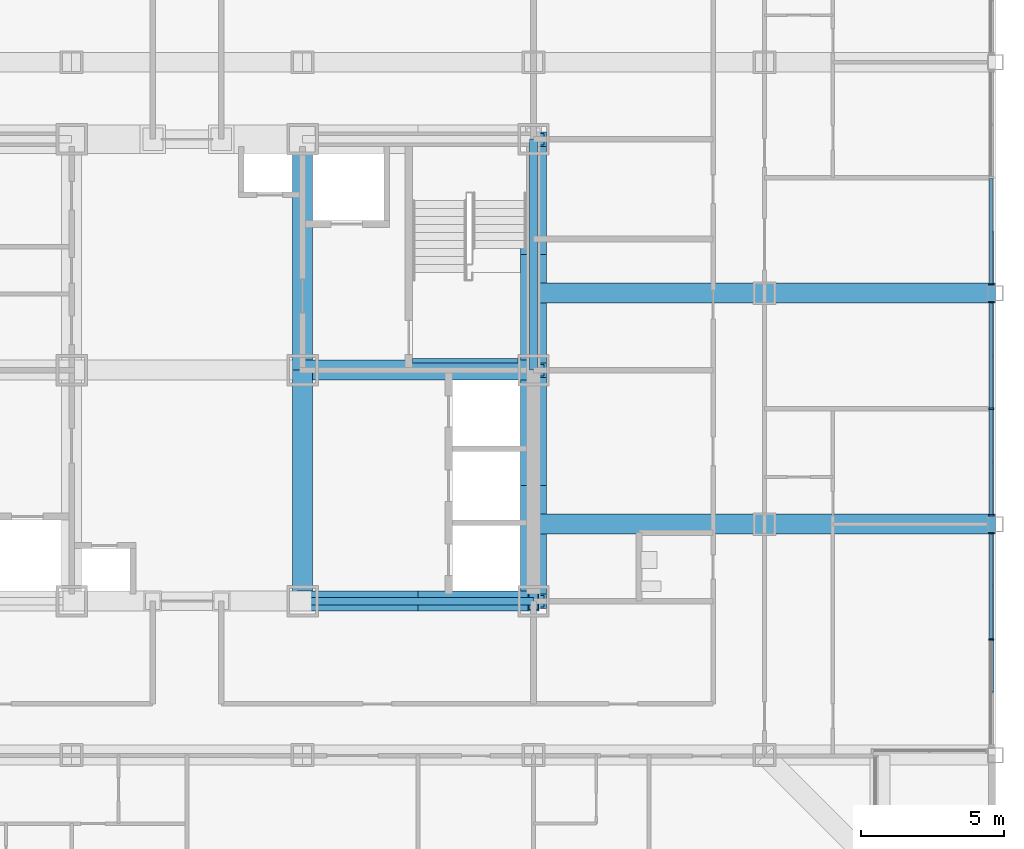
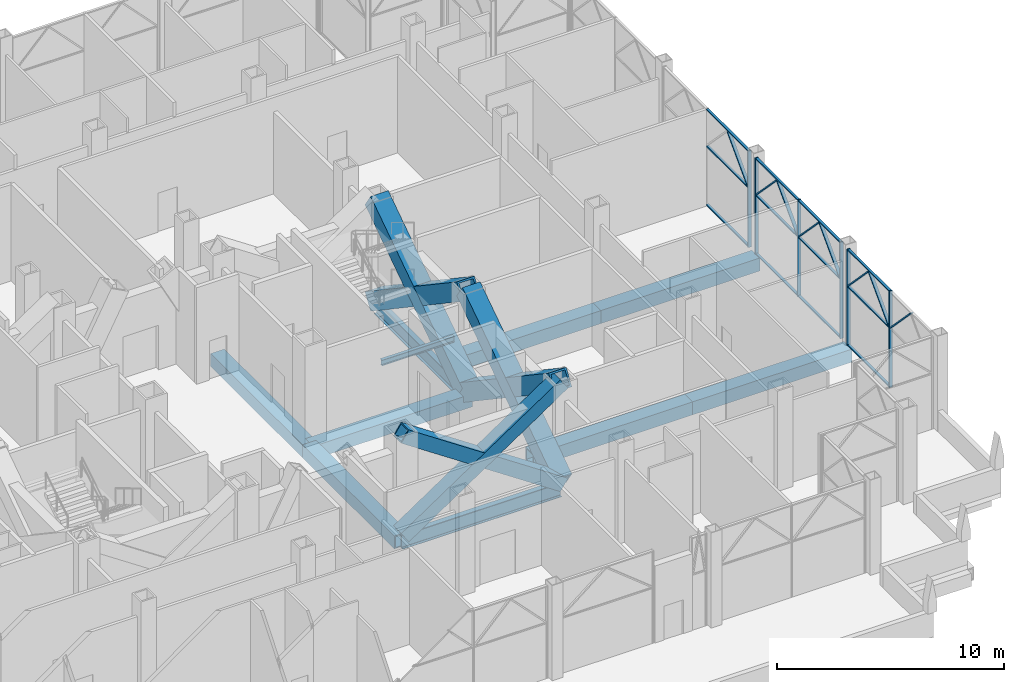
# One storey, part 7 of 29: 32 members, 10 beams, 3 elements without a shape of their own.
"""IFC4 building model written with IfcOpenShell, lengths in metres."""

from ifc_helpers import new_model, si_unit, direction, frame, origin, origin_2d, place, context, subcontext, project, spatial, rectangle, hollow_rectangle, i_section, extrude, material, material_profile, profile_set, type_object, element, aggregate, save


model = new_model("IFC4")

# Units and contexts
model_context = context("Model", 3, precision=1e-05, world=origin(), true_north=direction((0.0, 1.0)))
body_context = subcontext(model_context, "Body", "Model", "MODEL_VIEW")
ifc_project = project(units=[si_unit("LENGTHUNIT", "METRE"), si_unit("AREAUNIT", "SQUARE_METRE"), si_unit("VOLUMEUNIT", "CUBIC_METRE"), si_unit("PLANEANGLEUNIT", "RADIAN"), si_unit("MASSUNIT", "GRAM", prefix="KILO")], contexts=[model_context])

# Site, building, storey
site_placement = place(None, origin())
site = spatial("IfcSite", under=ifc_project, at=site_placement, CompositionType="ELEMENT")
building_placement = place(site_placement, origin())
building = spatial("IfcBuilding", under=site, at=building_placement, Name="Kopane Lantern Tower", CompositionType="ELEMENT")
storey_placement = place(building_placement, frame((0.0, 0.0, 165.0)))
storey = spatial("IfcBuildingStorey", under=building, at=storey_placement, Name="L42", CompositionType="ELEMENT", Elevation=165.0)

# Members
ifc_material_1 = material(Name="Steel S355JR", Category="steel")
ifc_material_profile_1 = material_profile(ifc_material_1, hollow_rectangle(XDim=0.699951171875, YDim=0.699951171875, WallThickness=0.06005859375, at=origin_2d()), Name="BOX 700x700x60")
ifc_profile_set_1 = profile_set([ifc_material_profile_1], Name="Steel S355JR")
member_type_1 = type_object("IfcMemberType", Name="BRACE BOX 700x700x60", PredefinedType="BRACE", material=ifc_profile_set_1)
for number, where, z_axis, x_axis, name in (
    (1, (32.39990234375, 24.300048828125, -0.25), (0.830159256911, 0.0, 0.557526329571), (0.0, 1.0, 0.0), "Core brace L42"),
    (2, (40.5, 24.300048828125, -0.25), (-0.830159256911, 0.0, 0.557526329571), (0.0, -1.0, 0.0), "Core brace L42"),
):
    element("IfcMember", number, at=place(storey_placement, frame(where, z_axis=z_axis, x_axis=x_axis)), inside=storey, type_object=member_type_1, Name=name, PredefinedType="BRACE", context=body_context, shape_type="SweptSolid", body=[
        extrude(hollow_rectangle(XDim=0.699951171875, YDim=0.699951171875, WallThickness=0.06005859375, at=origin_2d()), origin(), (0.0, 0.0, 1.0), 9.75732421875),
    ])
ifc_material_2 = material(Name="Steel S355JR", Category="steel")
ifc_material_profile_2 = material_profile(ifc_material_2, hollow_rectangle(XDim=0.89990234375, YDim=0.89990234375, WallThickness=0.090087890625, at=origin_2d()), Name="BOX 900x900x90")
ifc_profile_set_2 = profile_set([ifc_material_profile_2], Name="Steel S355JR")
member_type_2 = type_object("IfcMemberType", Name="BRACE BOX 900x900x90", PredefinedType="BRACE", material=ifc_profile_set_2)
for number, where, z_axis, x_axis, name in (
    (3, (40.5, 24.300048828125, -0.25), (0.0, 0.830151479134, 0.557537910542), (-1.0, 0.0, 0.0), "Core brace L42"),
    (4, (40.5, 32.39990234375, -0.25), (0.0, -0.830151479134, 0.557537910542), (1.0, 0.0, 0.0), "Core brace L42"),
):
    element("IfcMember", number, at=place(storey_placement, frame(where, z_axis=z_axis, x_axis=x_axis)), inside=storey, type_object=member_type_2, Name=name, PredefinedType="BRACE", context=body_context, shape_type="SweptSolid", body=[
        extrude(hollow_rectangle(XDim=0.89990234375, YDim=0.89990234375, WallThickness=0.090087890625, at=origin_2d()), origin(), (0.0, 0.0, 1.0), 9.757080078125),
    ])
for number, where, z_axis, x_axis, name in (
    (5, (40.5, 32.39990234375, -0.25), (0.0, 0.830159256911, 0.557526329571), (-1.0, 0.0, 0.0), "Core brace L42"),
    (6, (40.5, 40.5, -0.25), (0.0, -0.830159256911, 0.557526329571), (1.0, 0.0, 0.0), "Core brace L42"),
):
    element("IfcMember", number, at=place(storey_placement, frame(where, z_axis=z_axis, x_axis=x_axis)), inside=storey, type_object=member_type_2, Name=name, PredefinedType="BRACE", context=body_context, shape_type="SweptSolid", body=[
        extrude(hollow_rectangle(XDim=0.89990234375, YDim=0.89990234375, WallThickness=0.090087890625, at=origin_2d()), origin(), (0.0, 0.0, 1.0), 9.75732421875),
    ])

# Beams
ifc_material_3 = material(Name="Steel S355JR", Category="steel")
ifc_material_profile_3 = material_profile(ifc_material_3, hollow_rectangle(XDim=0.699951171875, YDim=0.699951171875, WallThickness=0.06005859375, at=origin_2d()), Name="BOX 700x700x60")
ifc_profile_set_3 = profile_set([ifc_material_profile_3], Name="Steel S355JR")
beam_type_1 = type_object("IfcBeamType", Name="CORE BEAM BOX 700x700x60", PredefinedType="BEAM", material=ifc_profile_set_3)
beam_1_placement = place(storey_placement, frame((32.39990234375, 24.300048828125, -0.60009765625), z_axis=(0.0, 1.0, 0.0), x_axis=(-1.0, 0.0, 0.0)))
element("IfcBeam", 7, at=beam_1_placement, inside=storey, type_object=beam_type_1, Name="Core Beam L42", PredefinedType="BEAM", context=body_context, shape_type="SweptSolid", body=[
    extrude(hollow_rectangle(XDim=0.699951171875, YDim=0.699951171875, WallThickness=0.06005859375, at=origin_2d()), origin(), (0.0, 0.0, 1.0), 8.099853515625),
])
for number, where, z_axis, x_axis, name in (
    (8, (32.39990234375, 32.39990234375, -0.60009765625), (0.0, 1.0, 0.0), (-1.0, 0.0, 0.0), "Core Beam L42"),
    (9, (32.39990234375, 32.39990234375, -0.60009765625), (1.0, 0.0, 0.0), (0.0, 1.0, 0.0), "Core Beam L42"),
):
    element("IfcBeam", number, at=place(storey_placement, frame(where, z_axis=z_axis, x_axis=x_axis)), inside=storey, type_object=beam_type_1, Name=name, PredefinedType="BEAM", context=body_context, shape_type="SweptSolid", body=[
        extrude(hollow_rectangle(XDim=0.699951171875, YDim=0.699951171875, WallThickness=0.06005859375, at=origin_2d()), origin(), (0.0, 0.0, 1.0), 8.10009765625),
    ])
ifc_material_4 = material(Name="Steel S355JR", Category="steel")
ifc_material_profile_4 = material_profile(ifc_material_4, hollow_rectangle(XDim=0.699951171875, YDim=0.699951171875, WallThickness=0.06005859375, at=origin_2d()), Name="BOX 700x700x60")
ifc_profile_set_4 = profile_set([ifc_material_profile_4], Name="Steel S355JR")
beam_type_2 = type_object("IfcBeamType", Name="GIRDER BOX 700x700x60", PredefinedType="BEAM", material=ifc_profile_set_4)
for number, where, z_axis, x_axis, name in (
    (10, (40.5, 27.0, -0.60009765625), (1.0, 0.0, 0.0), (0.0, 1.0, 0.0), "Girder L42"),
    (11, (40.5, 35.10009765625, -0.60009765625), (1.0, 0.0, 0.0), (0.0, 1.0, 0.0), "Girder L42"),
):
    element("IfcBeam", number, at=place(storey_placement, frame(where, z_axis=z_axis, x_axis=x_axis)), inside=storey, type_object=beam_type_2, Name=name, PredefinedType="BEAM", context=body_context, shape_type="SweptSolid", body=[
        extrude(hollow_rectangle(XDim=0.699951171875, YDim=0.699951171875, WallThickness=0.06005859375, at=origin_2d()), origin(), (0.0, 0.0, 1.0), 8.10009765625),
    ])
for number, where, z_axis, x_axis, name in (
    (12, (48.60009765625, 27.0, -0.60009765625), (1.0, 0.0, 0.0), (0.0, 1.0, 0.0), "Girder L42"),
    (13, (48.60009765625, 35.10009765625, -0.60009765625), (1.0, 0.0, 0.0), (0.0, 1.0, 0.0), "Girder L42"),
):
    element("IfcBeam", number, at=place(storey_placement, frame(where, z_axis=z_axis, x_axis=x_axis)), inside=storey, type_object=beam_type_2, Name=name, PredefinedType="BEAM", context=body_context, shape_type="SweptSolid", body=[
        extrude(hollow_rectangle(XDim=0.699951171875, YDim=0.699951171875, WallThickness=0.06005859375, at=origin_2d()), origin(), (0.0, 0.0, 1.0), 8.099853515625),
    ])
ifc_material_5 = material(Name="Steel S355JR", Category="steel")
ifc_material_profile_5 = material_profile(ifc_material_5, i_section(OverallWidth=0.26806640625, OverallDepth=0.769775390625, WebThickness=0.015625, FlangeThickness=0.025390625, FilletRadius=0.0166015625, at=origin_2d()), Name="UB 762x267x197")
ifc_profile_set_5 = profile_set([ifc_material_profile_5], Name="Steel S355JR")
beam_type_3 = type_object("IfcBeamType", Name="GIRDER UB 762x267x197", PredefinedType="BEAM", material=ifc_profile_set_5)
for number, where, z_axis, x_axis, name in (
    (14, (32.39990234375, 24.300048828125, -0.635009765625), (1.0, 0.0, 0.0), (0.0, 1.0, 0.0), "Girder L42"),
    (15, (40.5, 32.39990234375, -0.635009765625), (0.0, 1.0, 0.0), (-1.0, 0.0, 0.0), "Girder L42"),
):
    element("IfcBeam", number, at=place(storey_placement, frame(where, z_axis=z_axis, x_axis=x_axis)), inside=storey, type_object=beam_type_3, Name=name, PredefinedType="BEAM", context=body_context, shape_type="SweptSolid", body=[
        extrude(i_section(OverallWidth=0.26806640625, OverallDepth=0.769775390625, WebThickness=0.015625, FlangeThickness=0.025390625, FilletRadius=0.0166015625, at=origin_2d()), origin(), (0.0, 0.0, 1.0), 8.10009765625),
    ])

# Curtain wall, members
ifc_material_6 = material(Name="Aluminium and clear glass", Category="aluminium")
curtain_wall_type = type_object("IfcCurtainWallType", Name="CURTAIN WALL CW4 RESIDENCES LOBBY", PredefinedType="USERDEFINED", material=ifc_material_6)
curtain_wall_1_placement = place(storey_placement, origin())
curtain_wall_1 = element("IfcCurtainWall", 16, at=curtain_wall_1_placement, inside=storey, type_object=curtain_wall_type, Name="Curtain wall CW4 E L42", ObjectType="CURTAIN WALL", PredefinedType="USERDEFINED")
ifc_material_7 = material(Name="Aluminium", Category="aluminium")
ifc_material_profile_6 = material_profile(ifc_material_7, rectangle(XDim=0.06005859375, YDim=0.1650390625, at=origin_2d()), Name="AL 60x165")
ifc_profile_set_6 = profile_set([ifc_material_profile_6], Name="Aluminium")
member_type_3 = type_object("IfcMemberType", Name="MULLION CW4-M 60x165", PredefinedType="MULLION", material=ifc_profile_set_6)
member_1_placement = place(storey_placement, frame((56.550048828125, 22.9599609375, 0.0), z_axis=(0.0, 0.0, 1.0), x_axis=(0.0, 1.0, 0.0)))
member_1 = element("IfcMember", 17, at=member_1_placement, type_object=member_type_3, Name="CW4 mullion 2", PredefinedType="MULLION", context=body_context, shape_type="SweptSolid", body=[
    extrude(rectangle(XDim=0.06005859375, YDim=0.1650390625, at=origin_2d()), origin(), (0.0, 0.0, 1.0), 5.18994140625),
])
member_2_placement = place(storey_placement, frame((56.550048828125, 26.68994140625, 0.0), z_axis=(0.0, 0.0, 1.0), x_axis=(0.0, 1.0, 0.0)))
member_2 = element("IfcMember", 18, at=member_2_placement, type_object=member_type_3, Name="CW4 mullion 3", PredefinedType="MULLION", context=body_context, shape_type="SweptSolid", body=[
    extrude(rectangle(XDim=0.06005859375, YDim=0.1650390625, at=origin_2d()), origin(), (0.0, 0.0, 1.0), 5.18994140625),
])
member_3_placement = place(storey_placement, frame((56.550048828125, 22.908203125, 3.24072265625), z_axis=(0.0, -0.69209585032, 0.721805606773), x_axis=(0.0, 0.721805606773, 0.69209585032)))
member_3 = element("IfcMember", 19, at=member_3_placement, type_object=member_type_3, Name="CW4 lancet mullion 1R", PredefinedType="MULLION", context=body_context, shape_type="SweptSolid", body=[
    extrude(rectangle(XDim=0.06005859375, YDim=0.1650390625, at=origin_2d()), origin(), (0.0, 0.0, 1.0), 2.588623046875),
])
member_4_placement = place(storey_placement, frame((56.550048828125, 23.01171875, 3.24072265625), z_axis=(0.0, 0.69209585032, 0.721805606773), x_axis=(0.0, -0.721805606773, 0.69209585032)))
member_4 = element("IfcMember", 20, at=member_4_placement, type_object=member_type_3, Name="CW4 lancet mullion 2L", PredefinedType="MULLION", context=body_context, shape_type="SweptSolid", body=[
    extrude(rectangle(XDim=0.06005859375, YDim=0.1650390625, at=origin_2d()), origin(), (0.0, 0.0, 1.0), 2.588623046875),
])
member_5_placement = place(storey_placement, frame((56.550048828125, 26.63818359375, 3.24072265625), z_axis=(0.0, -0.69209585032, 0.721805606773), x_axis=(0.0, 0.721805606773, 0.69209585032)))
member_5 = element("IfcMember", 21, at=member_5_placement, type_object=member_type_3, Name="CW4 lancet mullion 2R", PredefinedType="MULLION", context=body_context, shape_type="SweptSolid", body=[
    extrude(rectangle(XDim=0.06005859375, YDim=0.1650390625, at=origin_2d()), origin(), (0.0, 0.0, 1.0), 2.588623046875),
])

curtain_wall_2_placement = place(storey_placement, origin())
curtain_wall_2 = element("IfcCurtainWall", 22, at=curtain_wall_2_placement, inside=storey, type_object=curtain_wall_type, Name="Curtain wall CW4 E L42", ObjectType="CURTAIN WALL", PredefinedType="USERDEFINED")
member_6_placement = place(storey_placement, frame((56.550048828125, 27.31005859375, 0.0), z_axis=(0.0, 0.0, 1.0), x_axis=(0.0, 1.0, 0.0)))
member_6 = element("IfcMember", 23, at=member_6_placement, type_object=member_type_3, Name="CW4 mullion 1", PredefinedType="MULLION", context=body_context, shape_type="SweptSolid", body=[
    extrude(rectangle(XDim=0.06005859375, YDim=0.1650390625, at=origin_2d()), origin(), (0.0, 0.0, 1.0), 5.18994140625),
])
member_7_placement = place(storey_placement, frame((56.550048828125, 31.050048828125, 0.0), z_axis=(0.0, 0.0, 1.0), x_axis=(0.0, 1.0, 0.0)))
member_7 = element("IfcMember", 24, at=member_7_placement, type_object=member_type_3, Name="CW4 mullion 2", PredefinedType="MULLION", context=body_context, shape_type="SweptSolid", body=[
    extrude(rectangle(XDim=0.06005859375, YDim=0.1650390625, at=origin_2d()), origin(), (0.0, 0.0, 1.0), 5.18994140625),
])
member_8_placement = place(storey_placement, frame((56.550048828125, 34.7900390625, 0.0), z_axis=(0.0, 0.0, 1.0), x_axis=(0.0, 1.0, 0.0)))
member_8 = element("IfcMember", 25, at=member_8_placement, type_object=member_type_3, Name="CW4 mullion 3", PredefinedType="MULLION", context=body_context, shape_type="SweptSolid", body=[
    extrude(rectangle(XDim=0.06005859375, YDim=0.1650390625, at=origin_2d()), origin(), (0.0, 0.0, 1.0), 5.18994140625),
])
member_9_placement = place(storey_placement, frame((56.550048828125, 27.361572265625, 3.24072265625), z_axis=(0.0, 0.693174589614, 0.720769719337), x_axis=(0.0, -0.720769719337, 0.693174589614)))
member_9 = element("IfcMember", 26, at=member_9_placement, type_object=member_type_3, Name="CW4 lancet mullion 1L", PredefinedType="MULLION", context=body_context, shape_type="SweptSolid", body=[
    extrude(rectangle(XDim=0.06005859375, YDim=0.1650390625, at=origin_2d()), origin(), (0.0, 0.0, 1.0), 2.59228515625),
])
member_10_placement = place(storey_placement, frame((56.550048828125, 30.998291015625, 3.24072265625), z_axis=(0.0, -0.693125656775, 0.720816775554), x_axis=(0.0, 0.720816775554, 0.693125656775)))
member_10 = element("IfcMember", 27, at=member_10_placement, type_object=member_type_3, Name="CW4 lancet mullion 1R", PredefinedType="MULLION", context=body_context, shape_type="SweptSolid", body=[
    extrude(rectangle(XDim=0.06005859375, YDim=0.1650390625, at=origin_2d()), origin(), (0.0, 0.0, 1.0), 2.592041015625),
])
member_11_placement = place(storey_placement, frame((56.550048828125, 31.1015625, 3.24072265625), z_axis=(0.0, 0.693174589614, 0.720769719337), x_axis=(0.0, -0.720769719337, 0.693174589614)))
member_11 = element("IfcMember", 28, at=member_11_placement, type_object=member_type_3, Name="CW4 lancet mullion 2L", PredefinedType="MULLION", context=body_context, shape_type="SweptSolid", body=[
    extrude(rectangle(XDim=0.06005859375, YDim=0.1650390625, at=origin_2d()), origin(), (0.0, 0.0, 1.0), 2.59228515625),
])
member_12_placement = place(storey_placement, frame((56.550048828125, 34.73828125, 3.24072265625), z_axis=(0.0, -0.693125656775, 0.720816775554), x_axis=(0.0, 0.720816775554, 0.693125656775)))
member_12 = element("IfcMember", 29, at=member_12_placement, type_object=member_type_3, Name="CW4 lancet mullion 2R", PredefinedType="MULLION", context=body_context, shape_type="SweptSolid", body=[
    extrude(rectangle(XDim=0.06005859375, YDim=0.1650390625, at=origin_2d()), origin(), (0.0, 0.0, 1.0), 2.592041015625),
])

curtain_wall_3_placement = place(storey_placement, origin())
curtain_wall_3 = element("IfcCurtainWall", 30, at=curtain_wall_3_placement, inside=storey, type_object=curtain_wall_type, Name="Curtain wall CW4 E L42", ObjectType="CURTAIN WALL", PredefinedType="USERDEFINED")
member_13_placement = place(storey_placement, frame((56.550048828125, 35.409912109375, 0.0), z_axis=(0.0, 0.0, 1.0), x_axis=(0.0, 1.0, 0.0)))
member_13 = element("IfcMember", 31, at=member_13_placement, type_object=member_type_3, Name="CW4 mullion 1", PredefinedType="MULLION", context=body_context, shape_type="SweptSolid", body=[
    extrude(rectangle(XDim=0.06005859375, YDim=0.1650390625, at=origin_2d()), origin(), (0.0, 0.0, 1.0), 5.18994140625),
])
member_14_placement = place(storey_placement, frame((56.550048828125, 35.461669921875, 3.24072265625), z_axis=(0.0, 0.693125656775, 0.720816775554), x_axis=(0.0, -0.720816775554, 0.693125656775)))
member_14 = element("IfcMember", 32, at=member_14_placement, type_object=member_type_3, Name="CW4 lancet mullion 1L", PredefinedType="MULLION", context=body_context, shape_type="SweptSolid", body=[
    extrude(rectangle(XDim=0.06005859375, YDim=0.1650390625, at=origin_2d()), origin(), (0.0, 0.0, 1.0), 2.592041015625),
])

# Beam
ifc_material_8 = material(Name="Steel S355JR", Category="steel")
ifc_material_profile_7 = material_profile(ifc_material_8, i_section(OverallWidth=0.1650390625, OverallDepth=0.303466796875, WebThickness=0.006103515625, FlangeThickness=0.01025390625, FilletRadius=0.0087890625, at=origin_2d()), Name="UB 305x165x40")
ifc_profile_set_7 = profile_set([ifc_material_profile_7], Name="Steel S355JR")
beam_type_4 = type_object("IfcBeamType", Name="STAIR LANDING BEAM UB 305x165x40", PredefinedType="BEAM", material=ifc_profile_set_7)
beam_2_placement = place(storey_placement, frame((39.949951171875, 32.732421875, 2.51708984375), z_axis=(-1.0, 0.0, 0.0), x_axis=(0.0, -1.0, 0.0)))
element("IfcBeam", 33, at=beam_2_placement, inside=storey, type_object=beam_type_4, Name="Stair landing beam ST2 L42", PredefinedType="BEAM", context=body_context, shape_type="SweptSolid", body=[
    extrude(i_section(OverallWidth=0.1650390625, OverallDepth=0.303466796875, WebThickness=0.006103515625, FlangeThickness=0.01025390625, FilletRadius=0.0087890625, at=origin_2d()), origin(), (0.0, 0.0, 1.0), 3.699951171875),
])

# Member
ifc_material_9 = material(Name="Aluminium", Category="aluminium")
ifc_material_profile_8 = material_profile(ifc_material_9, rectangle(XDim=0.125, YDim=0.06005859375, at=origin_2d()), Name="AL 125x60")
ifc_profile_set_8 = profile_set([ifc_material_profile_8], Name="Aluminium")
member_type_4 = type_object("IfcMemberType", Name="TRANSOM CW4-T 60x125", PredefinedType="USERDEFINED", material=ifc_profile_set_8)
member_15_placement = place(storey_placement, frame((56.550048828125, 22.989990234375, 0.030029296875), z_axis=(0.0, 1.0, 0.0), x_axis=(-1.0, 0.0, 0.0)))
member_15 = element("IfcMember", 34, at=member_15_placement, type_object=member_type_4, Name="CW4 transom 2.1", ObjectType="TRANSOM", PredefinedType="USERDEFINED", context=body_context, shape_type="SweptSolid", body=[
    extrude(rectangle(XDim=0.125, YDim=0.06005859375, at=origin_2d()), origin(), (0.0, 0.0, 1.0), 3.669921875),
])

member_16_placement = place(storey_placement, frame((56.550048828125, 22.989990234375, 3.18994140625), z_axis=(0.0, 1.0, 0.0), x_axis=(-1.0, 0.0, 0.0)))
member_16 = element("IfcMember", 35, at=member_16_placement, type_object=member_type_4, Name="CW4 transom 2.2", ObjectType="TRANSOM", PredefinedType="USERDEFINED", context=body_context, shape_type="SweptSolid", body=[
    extrude(rectangle(XDim=0.125, YDim=0.06005859375, at=origin_2d()), origin(), (0.0, 0.0, 1.0), 3.669921875),
])

member_17_placement = place(storey_placement, frame((56.550048828125, 22.989990234375, 5.159912109375), z_axis=(0.0, 1.0, 0.0), x_axis=(-1.0, 0.0, 0.0)))
member_17 = element("IfcMember", 36, at=member_17_placement, type_object=member_type_4, Name="CW4 transom 2.3", ObjectType="TRANSOM", PredefinedType="USERDEFINED", context=body_context, shape_type="SweptSolid", body=[
    extrude(rectangle(XDim=0.125, YDim=0.06005859375, at=origin_2d()), origin(), (0.0, 0.0, 1.0), 3.669921875),
])

aggregate(curtain_wall_1, [member_1, member_2, member_15, member_16, member_17, member_3, member_4, member_5])

member_18_placement = place(storey_placement, frame((56.550048828125, 27.340087890625, 0.030029296875), z_axis=(0.0, 1.0, 0.0), x_axis=(-1.0, 0.0, 0.0)))
member_18 = element("IfcMember", 37, at=member_18_placement, type_object=member_type_4, Name="CW4 transom 1.1", ObjectType="TRANSOM", PredefinedType="USERDEFINED", context=body_context, shape_type="SweptSolid", body=[
    extrude(rectangle(XDim=0.125, YDim=0.06005859375, at=origin_2d()), origin(), (0.0, 0.0, 1.0), 3.679931640625),
])

member_19_placement = place(storey_placement, frame((56.550048828125, 27.340087890625, 3.18994140625), z_axis=(0.0, 1.0, 0.0), x_axis=(-1.0, 0.0, 0.0)))
member_19 = element("IfcMember", 38, at=member_19_placement, type_object=member_type_4, Name="CW4 transom 1.2", ObjectType="TRANSOM", PredefinedType="USERDEFINED", context=body_context, shape_type="SweptSolid", body=[
    extrude(rectangle(XDim=0.125, YDim=0.06005859375, at=origin_2d()), origin(), (0.0, 0.0, 1.0), 3.679931640625),
])

member_20_placement = place(storey_placement, frame((56.550048828125, 27.340087890625, 5.159912109375), z_axis=(0.0, 1.0, 0.0), x_axis=(-1.0, 0.0, 0.0)))
member_20 = element("IfcMember", 39, at=member_20_placement, type_object=member_type_4, Name="CW4 transom 1.3", ObjectType="TRANSOM", PredefinedType="USERDEFINED", context=body_context, shape_type="SweptSolid", body=[
    extrude(rectangle(XDim=0.125, YDim=0.06005859375, at=origin_2d()), origin(), (0.0, 0.0, 1.0), 3.679931640625),
])

member_21_placement = place(storey_placement, frame((56.550048828125, 31.080078125, 0.030029296875), z_axis=(0.0, 1.0, 0.0), x_axis=(-1.0, 0.0, 0.0)))
member_21 = element("IfcMember", 40, at=member_21_placement, type_object=member_type_4, Name="CW4 transom 2.1", ObjectType="TRANSOM", PredefinedType="USERDEFINED", context=body_context, shape_type="SweptSolid", body=[
    extrude(rectangle(XDim=0.125, YDim=0.06005859375, at=origin_2d()), origin(), (0.0, 0.0, 1.0), 3.679931640625),
])

member_22_placement = place(storey_placement, frame((56.550048828125, 31.080078125, 3.18994140625), z_axis=(0.0, 1.0, 0.0), x_axis=(-1.0, 0.0, 0.0)))
member_22 = element("IfcMember", 41, at=member_22_placement, type_object=member_type_4, Name="CW4 transom 2.2", ObjectType="TRANSOM", PredefinedType="USERDEFINED", context=body_context, shape_type="SweptSolid", body=[
    extrude(rectangle(XDim=0.125, YDim=0.06005859375, at=origin_2d()), origin(), (0.0, 0.0, 1.0), 3.679931640625),
])

member_23_placement = place(storey_placement, frame((56.550048828125, 31.080078125, 5.159912109375), z_axis=(0.0, 1.0, 0.0), x_axis=(-1.0, 0.0, 0.0)))
member_23 = element("IfcMember", 42, at=member_23_placement, type_object=member_type_4, Name="CW4 transom 2.3", ObjectType="TRANSOM", PredefinedType="USERDEFINED", context=body_context, shape_type="SweptSolid", body=[
    extrude(rectangle(XDim=0.125, YDim=0.06005859375, at=origin_2d()), origin(), (0.0, 0.0, 1.0), 3.679931640625),
])

aggregate(curtain_wall_2, [member_6, member_7, member_8, member_18, member_19, member_20, member_21, member_22, member_23, member_9, member_10, member_11, member_12])

member_24_placement = place(storey_placement, frame((56.550048828125, 35.43994140625, 0.030029296875), z_axis=(0.0, 1.0, 0.0), x_axis=(-1.0, 0.0, 0.0)))
member_24 = element("IfcMember", 43, at=member_24_placement, type_object=member_type_4, Name="CW4 transom 1.1", ObjectType="TRANSOM", PredefinedType="USERDEFINED", context=body_context, shape_type="SweptSolid", body=[
    extrude(rectangle(XDim=0.125, YDim=0.06005859375, at=origin_2d()), origin(), (0.0, 0.0, 1.0), 3.68017578125),
])

member_25_placement = place(storey_placement, frame((56.550048828125, 35.43994140625, 3.18994140625), z_axis=(0.0, 1.0, 0.0), x_axis=(-1.0, 0.0, 0.0)))
member_25 = element("IfcMember", 44, at=member_25_placement, type_object=member_type_4, Name="CW4 transom 1.2", ObjectType="TRANSOM", PredefinedType="USERDEFINED", context=body_context, shape_type="SweptSolid", body=[
    extrude(rectangle(XDim=0.125, YDim=0.06005859375, at=origin_2d()), origin(), (0.0, 0.0, 1.0), 3.68017578125),
])

member_26_placement = place(storey_placement, frame((56.550048828125, 35.43994140625, 5.159912109375), z_axis=(0.0, 1.0, 0.0), x_axis=(-1.0, 0.0, 0.0)))
member_26 = element("IfcMember", 45, at=member_26_placement, type_object=member_type_4, Name="CW4 transom 1.3", ObjectType="TRANSOM", PredefinedType="USERDEFINED", context=body_context, shape_type="SweptSolid", body=[
    extrude(rectangle(XDim=0.125, YDim=0.06005859375, at=origin_2d()), origin(), (0.0, 0.0, 1.0), 3.68017578125),
])

aggregate(curtain_wall_3, [member_13, member_24, member_25, member_26, member_14])

save(model, "model.ifc")
